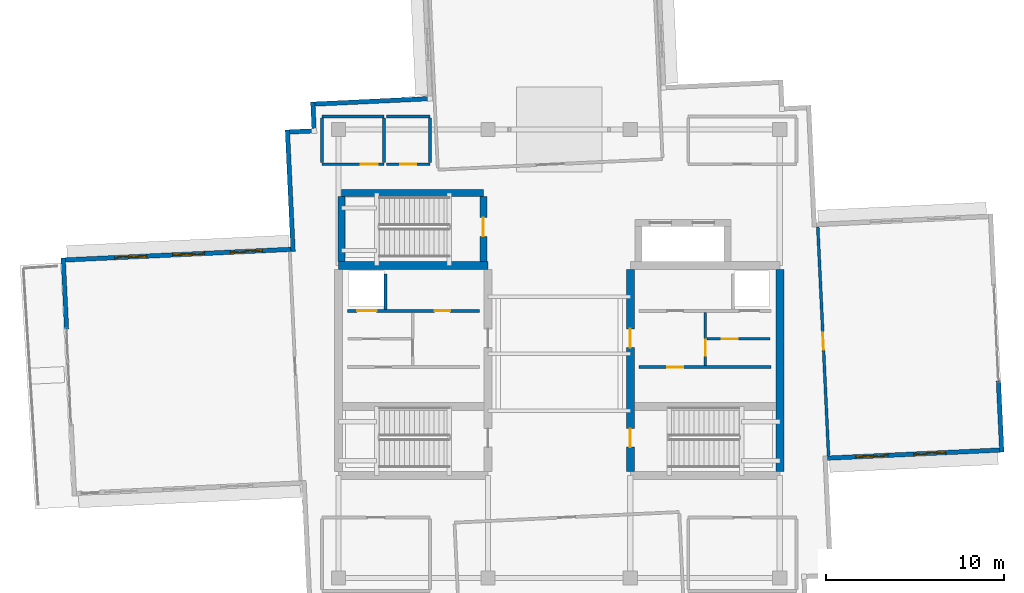
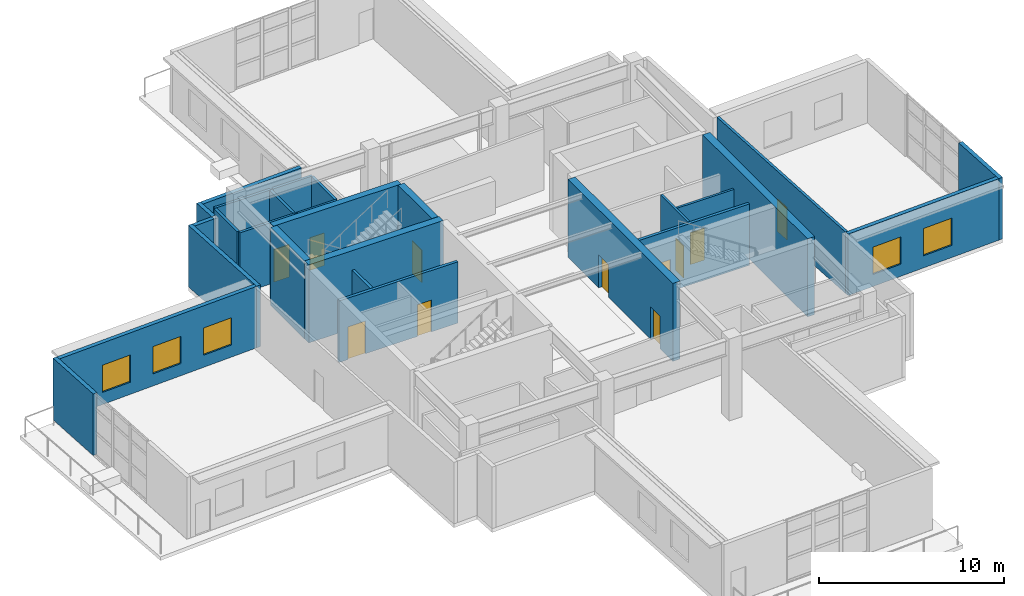
# One storey, part 14 of 22: 27 walls, 11 doors, 5 windows, 16 openings.
"""IFC4 building model written with IfcOpenShell, lengths in metres."""

from ifc_helpers import new_model, si_unit, direction, frame, frame_2d, origin, place, context, subcontext, project, spatial, rectangle, extrude, material, layer, layer_set, type_object, element, fill, save


model = new_model("IFC4")

# Units and contexts
model_context = context("Model", 3, precision=1e-05, world=origin(), true_north=direction((0.0, 1.0)))
body_context = subcontext(model_context, "Body", "Model", "MODEL_VIEW")
ifc_project = project(units=[si_unit("LENGTHUNIT", "METRE"), si_unit("AREAUNIT", "SQUARE_METRE"), si_unit("VOLUMEUNIT", "CUBIC_METRE"), si_unit("PLANEANGLEUNIT", "RADIAN"), si_unit("MASSUNIT", "GRAM", prefix="KILO")], contexts=[model_context])

# Site, building, storey
site_placement = place(None, origin())
site = spatial("IfcSite", under=ifc_project, at=site_placement, CompositionType="ELEMENT")
building_placement = place(site_placement, origin())
building = spatial("IfcBuilding", under=site, at=building_placement, Name="Qingluan Cross Belvedere", CompositionType="ELEMENT")
storey_placement = place(building_placement, frame((0.0, 0.0, 294.0)))
storey = spatial("IfcBuildingStorey", under=building, at=storey_placement, Name="L73", CompositionType="ELEMENT", Elevation=294.0)

# Wall
ifc_material_1 = material(Name="Concrete C50", Category="concrete")
ifc_layer_1 = layer(ifc_material_1, 0.449951171875, Name="CoreShearWall_450")
ifc_layer_set_1 = layer_set([ifc_layer_1], Name="Concrete C50")
wall_type_1 = type_object("IfcWallType", Name="CoreShearWall_450", PredefinedType="SHEAR", material=ifc_layer_set_1)
wall_1_placement = place(storey_placement, frame((-12.39990234375, 4.949951171875, 0.0), z_axis=(0.0, 0.0, 1.0), x_axis=(1.0, 0.0, 0.0)))
element("IfcWall", 1, at=wall_1_placement, inside=storey, type_object=wall_type_1, Name="Split core W shear wall L73-N", PredefinedType="SHEAR", context=body_context, shape_type="SweptSolid", body=[
    extrude(rectangle(XDim=8.39990234375, YDim=0.449951171875, at=frame_2d((4.199951171875, 0.0))), origin(), (0.0, 0.0, 1.0), 5.14990234375),
])

# Wall, openings, doors
wall_2_placement = place(storey_placement, frame((4.0, -6.6201171875, 0.0), z_axis=(0.0, 0.0, 1.0), x_axis=(0.0, 1.0, 0.0)))
wall_2 = element("IfcWall", 2, at=wall_2_placement, inside=storey, type_object=wall_type_1, Name="Split core E shear wall L73-W", PredefinedType="SHEAR", context=body_context, shape_type="SweptSolid", body=[
    extrude(rectangle(XDim=11.340087890625, YDim=0.449951171875, at=frame_2d((5.669921875, 0.0))), origin(), (0.0, 0.0, 1.0), 5.14990234375),
])
opening_1_placement = place(wall_2_placement, frame((1.3701171875, 0.0, 0.0)))
opening_1 = element("IfcOpeningElement", 3, at=opening_1_placement, cuts=wall_2, Name="Opening FD-B11", PredefinedType="OPENING", context=body_context, shape_type="SweptSolid", body=[
    extrude(rectangle(XDim=1.050048828125, YDim=2.14990234375, at=frame_2d((0.52490234375, 1.074951171875))), frame((0.0, 0.23486328125, 0.0), z_axis=(0.0, -1.0, 0.0), x_axis=(1.0, 0.0, 0.0)), (0.0, 0.0, 1.0), 0.469970703125),
])
opening_2_placement = place(wall_2_placement, frame((6.969970703125, 0.0, 0.0)))
opening_2 = element("IfcOpeningElement", 4, at=opening_2_placement, cuts=wall_2, Name="Opening FD-B11", PredefinedType="OPENING", context=body_context, shape_type="SweptSolid", body=[
    extrude(rectangle(XDim=1.050048828125, YDim=2.14990234375, at=frame_2d((0.52490234375, 1.074951171875))), frame((0.0, 0.23486328125, 0.0), z_axis=(0.0, -1.0, 0.0), x_axis=(1.0, 0.0, 0.0)), (0.0, 0.0, 1.0), 0.469970703125),
])
ifc_material_2 = material(Name="Steel Class B smoke-seal fire door", Category="steel")
door_type_1 = type_object("IfcDoorType", Name="StairLobbyFireDoor_FDB", OperationType="NOTDEFINED", PredefinedType="DOOR", material=ifc_material_2)
door_1_placement = place(opening_1_placement, origin())
door_1 = element("IfcDoor", 5, at=door_1_placement, inside=storey, type_object=door_type_1, Name="Smoke-proof stair ST2 fire door L73", OperationType="SINGLE_SWING_RIGHT", OverallHeight=2.14990234375, OverallWidth=1.050048828125, PredefinedType="DOOR", context=body_context, shape_type="SweptSolid", body=[
    extrude(rectangle(XDim=1.050048828125, YDim=2.14990234375, at=frame_2d((0.52490234375, 1.074951171875))), frame((0.0, 0.02490234375, 0.0), z_axis=(0.0, -1.0, 0.0), x_axis=(1.0, 0.0, 0.0)), (0.0, 0.0, 1.0), 0.050048828125),
])
fill(opening_1, door_1)
door_2_placement = place(opening_2_placement, origin())
door_2 = element("IfcDoor", 6, at=door_2_placement, inside=storey, type_object=door_type_1, Name="Firefighting lobby East fire door L73", OperationType="SINGLE_SWING_RIGHT", OverallHeight=2.14990234375, OverallWidth=1.050048828125, PredefinedType="DOOR", context=body_context, shape_type="SweptSolid", body=[
    extrude(rectangle(XDim=1.050048828125, YDim=2.14990234375, at=frame_2d((0.52490234375, 1.074951171875))), frame((0.0, 0.02490234375, 0.0), z_axis=(0.0, -1.0, 0.0), x_axis=(1.0, 0.0, 0.0)), (0.0, 0.0, 1.0), 0.050048828125),
])
fill(opening_2, door_2)

# Walls
wall_3_placement = place(storey_placement, frame((12.39990234375, -6.6201171875, 0.0), z_axis=(0.0, 0.0, 1.0), x_axis=(0.0, 1.0, 0.0)))
element("IfcWall", 7, at=wall_3_placement, inside=storey, type_object=wall_type_1, Name="Split core E shear wall L73-E", PredefinedType="SHEAR", context=body_context, shape_type="SweptSolid", body=[
    extrude(rectangle(XDim=11.340087890625, YDim=0.449951171875, at=frame_2d((5.669921875, 0.0))), origin(), (0.0, 0.0, 1.0), 5.14990234375),
])
wall_4_placement = place(storey_placement, frame((-12.219970703125, 9.0400390625, 0.0), z_axis=(0.0, 0.0, 1.0), x_axis=(1.0, 0.0, 0.0)))
element("IfcWall", 8, at=wall_4_placement, inside=storey, type_object=wall_type_1, Name="Stair ST3 structural wall N L73", PredefinedType="SHEAR", context=body_context, shape_type="SweptSolid", body=[
    extrude(rectangle(XDim=7.9599609375, YDim=0.39990234375, at=frame_2d((3.97998046875, 0.0))), origin(), (0.0, 0.0, 1.0), 5.14990234375),
])
wall_5_placement = place(storey_placement, frame((-12.219970703125, 5.179931640625, 0.0), z_axis=(0.0, 0.0, 1.0), x_axis=(0.0, 1.0, 0.0)))
element("IfcWall", 9, at=wall_5_placement, inside=storey, type_object=wall_type_1, Name="Stair ST3 structural wall W L73", PredefinedType="SHEAR", context=body_context, shape_type="SweptSolid", body=[
    extrude(rectangle(XDim=3.655029296875, YDim=0.39990234375, at=frame_2d((1.82763671875, 0.0))), origin(), (0.0, 0.0, 1.0), 5.14990234375),
])

# Wall, opening, door
wall_6_placement = place(storey_placement, frame((-4.260009765625, 5.179931640625, 0.0), z_axis=(0.0, 0.0, 1.0), x_axis=(0.0, 1.0, 0.0)))
wall_6 = element("IfcWall", 10, at=wall_6_placement, inside=storey, type_object=wall_type_1, Name="Stair ST3 structural wall E L73", PredefinedType="SHEAR", context=body_context, shape_type="SweptSolid", body=[
    extrude(rectangle(XDim=3.655029296875, YDim=0.39990234375, at=frame_2d((1.82763671875, 0.0))), origin(), (0.0, 0.0, 1.0), 5.14990234375),
])
opening_3_placement = place(wall_6_placement, frame((1.419921875, 0.0, 0.0)))
opening_3 = element("IfcOpeningElement", 11, at=opening_3_placement, cuts=wall_6, Name="Opening FD-B11", PredefinedType="OPENING", context=body_context, shape_type="SweptSolid", body=[
    extrude(rectangle(XDim=1.050048828125, YDim=2.14990234375, at=frame_2d((0.52490234375, 1.074951171875))), frame((0.0, 0.2099609375, 0.0), z_axis=(0.0, -1.0, 0.0), x_axis=(1.0, 0.0, 0.0)), (0.0, 0.0, 1.0), 0.419921875),
])
door_3_placement = place(opening_3_placement, origin())
door_3 = element("IfcDoor", 12, at=door_3_placement, inside=storey, type_object=door_type_1, Name="Smoke-proof stair ST3 fire door L73", OperationType="SINGLE_SWING_LEFT", OverallHeight=2.14990234375, OverallWidth=1.050048828125, PredefinedType="DOOR", context=body_context, shape_type="SweptSolid", body=[
    extrude(rectangle(XDim=1.050048828125, YDim=2.14990234375, at=frame_2d((0.52490234375, 1.074951171875))), frame((0.0, 0.02490234375, 0.0), z_axis=(0.0, -1.0, 0.0), x_axis=(1.0, 0.0, 0.0)), (0.0, 0.0, 1.0), 0.050048828125),
])
fill(opening_3, door_3)

ifc_material_3 = material(Name="Gypsum plasterboard on steel stud acoustic partition", Category="steel")
ifc_layer_2 = layer(ifc_material_3, 0.159912109375, Name="CorridorPartition_160")
ifc_layer_set_2 = layer_set([ifc_layer_2], Name="Gypsum plasterboard on steel stud acoustic partition")
wall_type_2 = type_object("IfcWallType", Name="CorridorPartition_160", PredefinedType="PARTITIONING", material=ifc_layer_set_2)
wall_7_placement = place(storey_placement, frame((8.298095703125, 0.830078125, 0.0), z_axis=(0.0, 0.0, 1.0), x_axis=(1.0, 0.0, 0.0)))
wall_7 = element("IfcWall", 13, at=wall_7_placement, inside=storey, type_object=wall_type_2, Name="Partition L73:e", PredefinedType="PARTITIONING", context=body_context, shape_type="SweptSolid", body=[
    extrude(rectangle(XDim=3.552001953125, YDim=0.139892578125, at=frame_2d((1.77587890625, 0.0))), origin(), (0.0, 0.0, 1.0), 4.050048828125),
])
opening_4_placement = place(wall_7_placement, frame((0.85009765625, 0.0, 0.0)))
opening_4 = element("IfcOpeningElement", 14, at=opening_4_placement, cuts=wall_7, Name="Opening FD-B10", PredefinedType="OPENING", context=body_context, shape_type="SweptSolid", body=[
    extrude(rectangle(XDim=0.8798828125, YDim=2.10009765625, at=frame_2d((0.43994140625, 1.050048828125))), frame((0.0, 0.079833984375, 0.0), z_axis=(0.0, -1.0, 0.0), x_axis=(1.0, 0.0, 0.0)), (0.0, 0.0, 1.0), 0.159912109375),
])
ifc_material_4 = material(Name="Steel Class B service fire door", Category="steel")
door_type_2 = type_object("IfcDoorType", Name="RiserServiceFireDoor_FDB", OperationType="NOTDEFINED", PredefinedType="DOOR", material=ifc_material_4)
door_4_placement = place(opening_4_placement, origin())
door_4 = element("IfcDoor", 15, at=door_4_placement, inside=storey, type_object=door_type_2, Name="Service closet inner door L73", OperationType="SINGLE_SWING_LEFT", OverallHeight=2.10009765625, OverallWidth=0.8798828125, PredefinedType="DOOR", context=body_context, shape_type="SweptSolid", body=[
    extrude(rectangle(XDim=0.8798828125, YDim=2.10009765625, at=frame_2d((0.43994140625, 1.050048828125))), frame((0.0, 0.02490234375, 0.0), z_axis=(0.0, -1.0, 0.0), x_axis=(1.0, 0.0, 0.0)), (0.0, 0.0, 1.0), 0.050048828125),
])
fill(opening_4, door_4)

wall_8_placement = place(storey_placement, frame((15.13671875, -5.730224609375, 0.0), z_axis=(0.0, 0.0, 1.0), x_axis=(-0.047106533513, 0.998889871057, 0.0)))
wall_8 = element("IfcWall", 16, at=wall_8_placement, inside=storey, type_object=wall_type_2, Name="Partition L73:vip_salon:W", PredefinedType="PARTITIONING", context=body_context, shape_type="SweptSolid", body=[
    extrude(rectangle(XDim=12.8740234375, YDim=0.159912109375, at=frame_2d((6.43701171875, 0.0))), origin(), (0.0, 0.0, 1.0), 4.050048828125),
])
opening_5_placement = place(wall_8_placement, frame((5.95703125, 0.0, 0.0)))
opening_5 = element("IfcOpeningElement", 17, at=opening_5_placement, cuts=wall_8, Name="Opening GD-10", PredefinedType="OPENING", context=body_context, shape_type="SweptSolid", body=[
    extrude(rectangle(XDim=0.9599609375, YDim=2.14990234375, at=frame_2d((0.47998046875, 1.074951171875))), frame((0.0, 0.08984375, 0.0), z_axis=(0.0, -1.0, 0.0), x_axis=(1.0, 0.0, 0.0)), (0.0, 0.0, 1.0), 0.179931640625),
])
ifc_material_5 = material(Name="Timber oak fire-rated acoustic guestroom door", Category="wood")
door_type_3 = type_object("IfcDoorType", Name="GuestEntryDoor_FD60", OperationType="NOTDEFINED", PredefinedType="DOOR", material=ifc_material_5)
door_5_placement = place(opening_5_placement, origin())
door_5 = element("IfcDoor", 18, at=door_5_placement, inside=storey, type_object=door_type_3, Name="Private sky reception salon L73 door", OperationType="SINGLE_SWING_LEFT", OverallHeight=2.14990234375, OverallWidth=0.9599609375, PredefinedType="DOOR", context=body_context, shape_type="SweptSolid", body=[
    extrude(rectangle(XDim=0.9599609375, YDim=2.14990234375, at=frame_2d((0.47998046875, 1.074951171875))), frame((0.0, 0.02490234375, 0.0), z_axis=(0.0, -1.0, 0.0), x_axis=(1.0, 0.0, 0.0)), (0.0, 0.0, 1.0), 0.050048828125),
])
fill(opening_5, door_5)

wall_9_placement = place(storey_placement, frame((-13.330078125, 10.64990234375, 0.0), z_axis=(0.0, 0.0, 1.0), x_axis=(1.0, 0.0, 0.0)))
wall_9 = element("IfcWall", 19, at=wall_9_placement, inside=storey, type_object=wall_type_2, Name="Partition L73:crown_wc:S", PredefinedType="PARTITIONING", context=body_context, shape_type="SweptSolid", body=[
    extrude(rectangle(XDim=3.47998046875, YDim=0.159912109375, at=frame_2d((1.739990234375, 0.0))), origin(), (0.0, 0.0, 1.0), 4.050048828125),
])
opening_6_placement = place(wall_9_placement, frame((2.169921875, 0.0, 0.0)))
opening_6 = element("IfcOpeningElement", 20, at=opening_6_placement, cuts=wall_9, Name="Opening GD-10", PredefinedType="OPENING", context=body_context, shape_type="SweptSolid", body=[
    extrude(rectangle(XDim=0.9599609375, YDim=2.14990234375, at=frame_2d((0.47998046875, 1.074951171875))), frame((0.0, 0.08984375, 0.0), z_axis=(0.0, -1.0, 0.0), x_axis=(1.0, 0.0, 0.0)), (0.0, 0.0, 1.0), 0.179931640625),
])
door_6_placement = place(opening_6_placement, origin())
door_6 = element("IfcDoor", 21, at=door_6_placement, inside=storey, type_object=door_type_3, Name="Public washrooms L73 door", OperationType="SINGLE_SWING_LEFT", OverallHeight=2.14990234375, OverallWidth=0.9599609375, PredefinedType="DOOR", context=body_context, shape_type="SweptSolid", body=[
    extrude(rectangle(XDim=0.9599609375, YDim=2.14990234375, at=frame_2d((0.47998046875, 1.074951171875))), frame((0.0, 0.02490234375, 0.0), z_axis=(0.0, -1.0, 0.0), x_axis=(1.0, 0.0, 0.0)), (0.0, 0.0, 1.0), 0.050048828125),
])
fill(opening_6, door_6)

# Walls
wall_10_placement = place(storey_placement, frame((-13.330078125, 13.330078125, 0.0), z_axis=(0.0, 0.0, 1.0), x_axis=(1.0, 0.0, 0.0)))
element("IfcWall", 22, at=wall_10_placement, inside=storey, type_object=wall_type_2, Name="Partition L73:crown_wc:N", PredefinedType="PARTITIONING", context=body_context, shape_type="SweptSolid", body=[
    extrude(rectangle(XDim=3.47998046875, YDim=0.159912109375, at=frame_2d((1.739990234375, 0.0))), origin(), (0.0, 0.0, 1.0), 4.050048828125),
])
for number, where, z_axis, x_axis, name in (
    (23, (-13.330078125, 10.735107421875, 0.0), (0.0, 0.0, 1.0), (0.0, 1.0, 0.0), "Partition L73:crown_wc:W"),
    (24, (-9.85009765625, 10.735107421875, 0.0), (0.0, 0.0, 1.0), (0.0, 1.0, 0.0), "Partition L73:crown_wc:E"),
):
    element("IfcWall", number, at=place(storey_placement, frame(where, z_axis=z_axis, x_axis=x_axis)), inside=storey, type_object=wall_type_2, Name=name, PredefinedType="PARTITIONING", context=body_context, shape_type="SweptSolid", body=[
        extrude(rectangle(XDim=2.510009765625, YDim=0.159912109375, at=frame_2d((1.2548828125, 0.0))), origin(), (0.0, 0.0, 1.0), 4.050048828125),
    ])

# Wall, opening, door
wall_11_placement = place(storey_placement, frame((-9.68994140625, 10.64990234375, 0.0), z_axis=(0.0, 0.0, 1.0), x_axis=(1.0, 0.0, 0.0)))
wall_11 = element("IfcWall", 25, at=wall_11_placement, inside=storey, type_object=wall_type_2, Name="Partition L73:crown_acc:S", PredefinedType="PARTITIONING", context=body_context, shape_type="SweptSolid", body=[
    extrude(rectangle(XDim=2.43994140625, YDim=0.159912109375, at=frame_2d((1.219970703125, 0.0))), origin(), (0.0, 0.0, 1.0), 4.050048828125),
])
opening_7_placement = place(wall_11_placement, frame((0.77001953125, 0.0, 0.0)))
opening_7 = element("IfcOpeningElement", 26, at=opening_7_placement, cuts=wall_11, Name="Opening BD-90", PredefinedType="OPENING", context=body_context, shape_type="SweptSolid", body=[
    extrude(rectangle(XDim=0.89990234375, YDim=2.14990234375, at=frame_2d((0.449951171875, 1.074951171875))), frame((0.0, 0.08984375, 0.0), z_axis=(0.0, -1.0, 0.0), x_axis=(1.0, 0.0, 0.0)), (0.0, 0.0, 1.0), 0.179931640625),
])
ifc_material_6 = material(Name="Moisture-sealed timber washroom door", Category="wood")
door_type_4 = type_object("IfcDoorType", Name="AccessibleWCDoor_900", OperationType="NOTDEFINED", PredefinedType="DOOR", material=ifc_material_6)
door_7_placement = place(opening_7_placement, origin())
door_7 = element("IfcDoor", 27, at=door_7_placement, inside=storey, type_object=door_type_4, Name="Accessible toilet L73 door", OperationType="SINGLE_SWING_RIGHT", OverallHeight=2.14990234375, OverallWidth=0.89990234375, PredefinedType="DOOR", context=body_context, shape_type="SweptSolid", body=[
    extrude(rectangle(XDim=0.89990234375, YDim=2.14990234375, at=frame_2d((0.449951171875, 1.074951171875))), frame((0.0, 0.02490234375, 0.0), z_axis=(0.0, -1.0, 0.0), x_axis=(1.0, 0.0, 0.0)), (0.0, 0.0, 1.0), 0.050048828125),
])
fill(opening_7, door_7)

# Walls
wall_12_placement = place(storey_placement, frame((-9.68994140625, 13.330078125, 0.0), z_axis=(0.0, 0.0, 1.0), x_axis=(1.0, 0.0, 0.0)))
element("IfcWall", 28, at=wall_12_placement, inside=storey, type_object=wall_type_2, Name="Partition L73:crown_acc:N", PredefinedType="PARTITIONING", context=body_context, shape_type="SweptSolid", body=[
    extrude(rectangle(XDim=2.43994140625, YDim=0.159912109375, at=frame_2d((1.219970703125, 0.0))), origin(), (0.0, 0.0, 1.0), 4.050048828125),
])
wall_13_placement = place(storey_placement, frame((-7.25, 10.735107421875, 0.0), z_axis=(0.0, 0.0, 1.0), x_axis=(0.0, 1.0, 0.0)))
element("IfcWall", 29, at=wall_13_placement, inside=storey, type_object=wall_type_2, Name="Partition L73:crown_acc:E", PredefinedType="PARTITIONING", context=body_context, shape_type="SweptSolid", body=[
    extrude(rectangle(XDim=2.510009765625, YDim=0.159912109375, at=frame_2d((1.2548828125, 0.0))), origin(), (0.0, 0.0, 1.0), 4.050048828125),
])

# Wall, openings, windows
ifc_material_7 = material(Name="Precast concrete C45", Category="concrete")
ifc_layer_3 = layer(ifc_material_7, 0.25, Name="PrecastCrownWall_250")
ifc_layer_set_3 = layer_set([ifc_layer_3], Name="Precast concrete C45")
wall_type_3 = type_object("IfcWallType", Name="PrecastCrownWall_250", PredefinedType="STANDARD", material=ifc_layer_set_3)
wall_14_placement = place(storey_placement, frame((15.078125, -5.8662109375, 0.0), z_axis=(0.0, 0.0, 1.0), x_axis=(0.998889626511, 0.047111718812, 0.0)))
wall_14 = element("IfcWall", 30, at=wall_14_placement, inside=storey, type_object=wall_type_3, Name="Facade wall L73-EA", PredefinedType="STANDARD", context=body_context, shape_type="SweptSolid", body=[
    extrude(rectangle(XDim=9.669921875, YDim=0.25, at=frame_2d((4.8349609375, 0.0))), origin(), (0.0, 0.0, 1.0), 4.06005859375),
])
opening_8_placement = place(wall_14_placement, frame((1.60009765625, 0.0, 0.800048828125)))
opening_8 = element("IfcOpeningElement", 31, at=opening_8_placement, cuts=wall_14, Name="Opening W-05", PredefinedType="OPENING", context=body_context, shape_type="SweptSolid", body=[
    extrude(rectangle(XDim=1.800048828125, YDim=1.800048828125, at=frame_2d((0.89990234375, 0.89990234375))), frame((0.0, 0.135009765625, 0.0), z_axis=(0.0, -1.0, 0.0), x_axis=(1.0, 0.0, 0.0)), (0.0, 0.0, 1.0), 0.27001953125),
])
opening_9_placement = place(wall_14_placement, frame((4.85009765625, 0.0, 0.800048828125)))
opening_9 = element("IfcOpeningElement", 32, at=opening_9_placement, cuts=wall_14, Name="Opening W-05", PredefinedType="OPENING", context=body_context, shape_type="SweptSolid", body=[
    extrude(rectangle(XDim=1.800048828125, YDim=1.800048828125, at=frame_2d((0.89990234375, 0.89990234375))), frame((0.0, 0.135009765625, 0.0), z_axis=(0.0, -1.0, 0.0), x_axis=(1.0, 0.0, 0.0)), (0.0, 0.0, 1.0), 0.27001953125),
])
ifc_material_8 = material(Name="Thermally broken triple Low-E glass in aluminium frame", Category="aluminium")
window_type = type_object("IfcWindowType", Name="CrownBelvedereWin_1800x1800", PartitioningType="SINGLE_PANEL", PredefinedType="WINDOW", material=ifc_material_8)
window_1_placement = place(opening_8_placement, origin())
window_1 = element("IfcWindow", 33, at=window_1_placement, inside=storey, type_object=window_type, Name="Ribbon window L73-EA-1", OverallHeight=1.800048828125, OverallWidth=1.800048828125, PartitioningType="SINGLE_PANEL", PredefinedType="WINDOW", context=body_context, shape_type="SweptSolid", body=[
    extrude(rectangle(XDim=1.800048828125, YDim=1.800048828125, at=frame_2d((0.89990234375, 0.89990234375))), frame((0.0, 0.030029296875, 0.0), z_axis=(0.0, -1.0, 0.0), x_axis=(1.0, 0.0, 0.0)), (0.0, 0.0, 1.0), 0.06005859375),
])
fill(opening_8, window_1)
window_2_placement = place(opening_9_placement, origin())
window_2 = element("IfcWindow", 34, at=window_2_placement, inside=storey, type_object=window_type, Name="Ribbon window L73-EA-2", OverallHeight=1.800048828125, OverallWidth=1.800048828125, PartitioningType="SINGLE_PANEL", PredefinedType="WINDOW", context=body_context, shape_type="SweptSolid", body=[
    extrude(rectangle(XDim=1.800048828125, YDim=1.800048828125, at=frame_2d((0.89990234375, 0.89990234375))), frame((0.0, 0.030029296875, 0.0), z_axis=(0.0, -1.0, 0.0), x_axis=(1.0, 0.0, 0.0)), (0.0, 0.0, 1.0), 0.06005859375),
])
fill(opening_9, window_2)

# Wall
wall_15_placement = place(storey_placement, frame((24.8681640625, -5.52978515625, 0.0), z_axis=(0.0, 0.0, 1.0), x_axis=(-0.047100260363, 0.998890166872, 0.0)))
element("IfcWall", 35, at=wall_15_placement, inside=storey, type_object=wall_type_3, Name="Terrace portal jamb wall L73-E1", PredefinedType="STANDARD", context=body_context, shape_type="SweptSolid", body=[
    extrude(rectangle(XDim=4.01708984375, YDim=0.25, at=frame_2d((2.008544921875, 0.0))), origin(), (0.0, 0.0, 1.0), 4.06005859375),
])

# Wall, openings, windows
wall_16_placement = place(storey_placement, frame((-15.078125, 5.8662109375, 0.0), z_axis=(0.0, 0.0, 1.0), x_axis=(-0.998889528594, -0.04711379485, 0.0)))
wall_16 = element("IfcWall", 36, at=wall_16_placement, inside=storey, type_object=wall_type_3, Name="Facade wall L73-WA", PredefinedType="STANDARD", context=body_context, shape_type="SweptSolid", body=[
    extrude(rectangle(XDim=12.669921875, YDim=0.25, at=frame_2d((6.3349609375, 0.0))), origin(), (0.0, 0.0, 1.0), 4.06005859375),
])
opening_10_placement = place(wall_16_placement, frame((1.60009765625, 0.0, 0.800048828125)))
opening_10 = element("IfcOpeningElement", 37, at=opening_10_placement, cuts=wall_16, Name="Opening W-05", PredefinedType="OPENING", context=body_context, shape_type="SweptSolid", body=[
    extrude(rectangle(XDim=1.800048828125, YDim=1.800048828125, at=frame_2d((0.89990234375, 0.89990234375))), frame((0.0, 0.135009765625, 0.0), z_axis=(0.0, -1.0, 0.0), x_axis=(1.0, 0.0, 0.0)), (0.0, 0.0, 1.0), 0.27001953125),
])
opening_11_placement = place(wall_16_placement, frame((4.85009765625, 0.0, 0.800048828125)))
opening_11 = element("IfcOpeningElement", 38, at=opening_11_placement, cuts=wall_16, Name="Opening W-05", PredefinedType="OPENING", context=body_context, shape_type="SweptSolid", body=[
    extrude(rectangle(XDim=1.800048828125, YDim=1.800048828125, at=frame_2d((0.89990234375, 0.89990234375))), frame((0.0, 0.135009765625, 0.0), z_axis=(0.0, -1.0, 0.0), x_axis=(1.0, 0.0, 0.0)), (0.0, 0.0, 1.0), 0.27001953125),
])
opening_12_placement = place(wall_16_placement, frame((8.10009765625, 0.0, 0.800048828125)))
opening_12 = element("IfcOpeningElement", 39, at=opening_12_placement, cuts=wall_16, Name="Opening W-05", PredefinedType="OPENING", context=body_context, shape_type="SweptSolid", body=[
    extrude(rectangle(XDim=1.800048828125, YDim=1.800048828125, at=frame_2d((0.89990234375, 0.89990234375))), frame((0.0, 0.135009765625, 0.0), z_axis=(0.0, -1.0, 0.0), x_axis=(1.0, 0.0, 0.0)), (0.0, 0.0, 1.0), 0.27001953125),
])
window_3_placement = place(opening_10_placement, origin())
window_3 = element("IfcWindow", 40, at=window_3_placement, inside=storey, type_object=window_type, Name="Ribbon window L73-WA-1", OverallHeight=1.800048828125, OverallWidth=1.800048828125, PartitioningType="SINGLE_PANEL", PredefinedType="WINDOW", context=body_context, shape_type="SweptSolid", body=[
    extrude(rectangle(XDim=1.800048828125, YDim=1.800048828125, at=frame_2d((0.89990234375, 0.89990234375))), frame((0.0, 0.030029296875, 0.0), z_axis=(0.0, -1.0, 0.0), x_axis=(1.0, 0.0, 0.0)), (0.0, 0.0, 1.0), 0.06005859375),
])
fill(opening_10, window_3)
window_4_placement = place(opening_11_placement, origin())
window_4 = element("IfcWindow", 41, at=window_4_placement, inside=storey, type_object=window_type, Name="Ribbon window L73-WA-2", OverallHeight=1.800048828125, OverallWidth=1.800048828125, PartitioningType="SINGLE_PANEL", PredefinedType="WINDOW", context=body_context, shape_type="SweptSolid", body=[
    extrude(rectangle(XDim=1.800048828125, YDim=1.800048828125, at=frame_2d((0.89990234375, 0.89990234375))), frame((0.0, 0.030029296875, 0.0), z_axis=(0.0, -1.0, 0.0), x_axis=(1.0, 0.0, 0.0)), (0.0, 0.0, 1.0), 0.06005859375),
])
fill(opening_11, window_4)
window_5_placement = place(opening_12_placement, origin())
window_5 = element("IfcWindow", 42, at=window_5_placement, inside=storey, type_object=window_type, Name="Ribbon window L73-WA-3", OverallHeight=1.800048828125, OverallWidth=1.800048828125, PartitioningType="SINGLE_PANEL", PredefinedType="WINDOW", context=body_context, shape_type="SweptSolid", body=[
    extrude(rectangle(XDim=1.800048828125, YDim=1.800048828125, at=frame_2d((0.89990234375, 0.89990234375))), frame((0.0, 0.030029296875, 0.0), z_axis=(0.0, -1.0, 0.0), x_axis=(1.0, 0.0, 0.0)), (0.0, 0.0, 1.0), 0.06005859375),
])
fill(opening_12, window_5)

# Walls
wall_17_placement = place(storey_placement, frame((-27.86474609375, 5.388427734375, 0.0), z_axis=(0.0, 0.0, 1.0), x_axis=(0.047100260363, -0.998890166872, 0.0)))
element("IfcWall", 43, at=wall_17_placement, inside=storey, type_object=wall_type_3, Name="Terrace portal jamb wall L73-W1", PredefinedType="STANDARD", context=body_context, shape_type="SweptSolid", body=[
    extrude(rectangle(XDim=4.01708984375, YDim=0.25, at=frame_2d((2.008544921875, 0.0))), origin(), (0.0, 0.0, 1.0), 4.06005859375),
])
wall_18_placement = place(storey_placement, frame((-14.947265625, 5.747314453125, 0.0), z_axis=(0.0, 0.0, 1.0), x_axis=(-0.047115742593, 0.998889436725, 0.0)))
element("IfcWall", 44, at=wall_18_placement, inside=storey, type_object=wall_type_3, Name="Corner wall L73-NW1", PredefinedType="STANDARD", context=body_context, shape_type="SweptSolid", body=[
    extrude(rectangle(XDim=6.83984375, YDim=0.25, at=frame_2d((3.419921875, 0.0))), origin(), (0.0, 0.0, 1.0), 4.06005859375),
])
wall_19_placement = place(storey_placement, frame((-15.138916015625, 12.460693359375, 0.0), z_axis=(0.0, 0.0, 1.0), x_axis=(0.998891870632, 0.047064113553, 0.0)))
element("IfcWall", 45, at=wall_19_placement, inside=storey, type_object=wall_type_3, Name="Corner wall L73-NW2", PredefinedType="STANDARD", context=body_context, shape_type="SweptSolid", body=[
    extrude(rectangle(XDim=1.250244140625, YDim=0.25, at=frame_2d((0.625, 0.0))), origin(), (0.0, 0.0, 1.0), 4.06005859375),
])
wall_20_placement = place(storey_placement, frame((-13.771240234375, 12.650390625, 0.0), z_axis=(0.0, 0.0, 1.0), x_axis=(-0.047039284441, 0.99889304018, 0.0)))
element("IfcWall", 46, at=wall_20_placement, inside=storey, type_object=wall_type_3, Name="Corner wall L73-NW3", PredefinedType="STANDARD", context=body_context, shape_type="SweptSolid", body=[
    extrude(rectangle(XDim=1.5, YDim=0.25, at=frame_2d((0.75, 0.0))), origin(), (0.0, 0.0, 1.0), 4.06005859375),
])
wall_21_placement = place(storey_placement, frame((-13.711181640625, 14.02978515625, 0.0), z_axis=(0.0, 0.0, 1.0), x_axis=(0.998890417296, 0.047094949127, 0.0)))
element("IfcWall", 47, at=wall_21_placement, inside=storey, type_object=wall_type_3, Name="Corner wall L73-NW4", PredefinedType="STANDARD", context=body_context, shape_type="SweptSolid", body=[
    extrude(rectangle(XDim=6.340087890625, YDim=0.25, at=frame_2d((3.169921875, 0.0))), origin(), (0.0, 0.0, 1.0), 4.06005859375),
])

# Wall, openings, doors
ifc_material_9 = material(Name="Concrete C40", Category="concrete")
ifc_layer_4 = layer(ifc_material_9, 0.219970703125, Name="ShaftEnclosureWall_250")
ifc_layer_set_4 = layer_set([ifc_layer_4], Name="Concrete C40")
wall_type_4 = type_object("IfcWallType", Name="ShaftEnclosureWall_250", PredefinedType="SOLIDWALL", material=ifc_layer_set_4)
wall_22_placement = place(storey_placement, frame((-11.89990234375, 2.409912109375, 0.0), z_axis=(0.0, 0.0, 1.0), x_axis=(1.0, 0.0, 0.0)))
wall_22 = element("IfcWall", 48, at=wall_22_placement, inside=storey, type_object=wall_type_4, Name="Core-W north hoistway wall L73", PredefinedType="SOLIDWALL", context=body_context, shape_type="SweptSolid", body=[
    extrude(rectangle(XDim=7.419921875, YDim=0.179931640625, at=frame_2d((3.7099609375, 0.0))), origin(), (0.0, 0.0, 1.0), 4.050048828125),
])
opening_13_placement = place(wall_22_placement, frame((0.550048828125, 0.0, 0.0)))
opening_13 = element("IfcOpeningElement", 49, at=opening_13_placement, cuts=wall_22, Name="Opening LD-11", PredefinedType="OPENING", context=body_context, shape_type="SweptSolid", body=[
    extrude(rectangle(XDim=1.10009765625, YDim=2.14990234375, at=frame_2d((0.550048828125, 1.074951171875))), frame((0.0, 0.099853515625, 0.0), z_axis=(0.0, -1.0, 0.0), x_axis=(1.0, 0.0, 0.0)), (0.0, 0.0, 1.0), 0.199951171875),
])
opening_14_placement = place(wall_22_placement, frame((4.89990234375, 0.0, 0.0)))
opening_14 = element("IfcOpeningElement", 50, at=opening_14_placement, cuts=wall_22, Name="Opening FD-B10", PredefinedType="OPENING", context=body_context, shape_type="SweptSolid", body=[
    extrude(rectangle(XDim=0.8798828125, YDim=2.10009765625, at=frame_2d((0.43994140625, 1.050048828125))), frame((0.0, 0.099853515625, 0.0), z_axis=(0.0, -1.0, 0.0), x_axis=(1.0, 0.0, 0.0)), (0.0, 0.0, 1.0), 0.199951171875),
])
ifc_material_10 = material(Name="Brushed stainless steel centre-opening lift landing door", Category="steel")
door_type_5 = type_object("IfcDoorType", Name="LiftLandingSlidingDoor_1100", OperationType="DOUBLE_DOOR_SLIDING", PredefinedType="DOOR", material=ifc_material_10)
door_8_placement = place(opening_13_placement, origin())
door_8 = element("IfcDoor", 51, at=door_8_placement, inside=storey, type_object=door_type_5, Name="Lift landing sliding door FL1 L73", OperationType="DOUBLE_DOOR_SLIDING", OverallHeight=2.14990234375, OverallWidth=1.10009765625, PredefinedType="DOOR", context=body_context, shape_type="SweptSolid", body=[
    extrude(rectangle(XDim=1.10009765625, YDim=2.14990234375, at=frame_2d((0.550048828125, 1.074951171875))), frame((0.0, 0.02490234375, 0.0), z_axis=(0.0, -1.0, 0.0), x_axis=(1.0, 0.0, 0.0)), (0.0, 0.0, 1.0), 0.050048828125),
])
fill(opening_13, door_8)
door_9_placement = place(opening_14_placement, origin())
door_9 = element("IfcDoor", 52, at=door_9_placement, inside=storey, type_object=door_type_2, Name="Housekeeping supply room door W L73", OperationType="SINGLE_SWING_RIGHT", OverallHeight=2.10009765625, OverallWidth=0.8798828125, PredefinedType="DOOR", context=body_context, shape_type="SweptSolid", body=[
    extrude(rectangle(XDim=0.8798828125, YDim=2.10009765625, at=frame_2d((0.43994140625, 1.050048828125))), frame((0.0, 0.02490234375, 0.0), z_axis=(0.0, -1.0, 0.0), x_axis=(1.0, 0.0, 0.0)), (0.0, 0.0, 1.0), 0.050048828125),
])
fill(opening_14, door_9)

# Wall, opening, door
wall_23_placement = place(storey_placement, frame((4.47998046875, -0.75, 0.0), z_axis=(0.0, 0.0, 1.0), x_axis=(1.0, 0.0, 0.0)))
wall_23 = element("IfcWall", 53, at=wall_23_placement, inside=storey, type_object=wall_type_4, Name="Core-E mid hoistway wall L73", PredefinedType="SOLIDWALL", context=body_context, shape_type="SweptSolid", body=[
    extrude(rectangle(XDim=7.419921875, YDim=0.179931640625, at=frame_2d((3.7099609375, 0.0))), origin(), (0.0, 0.0, 1.0), 4.050048828125),
])
opening_15_placement = place(wall_23_placement, frame((1.60009765625, 0.0, 0.0)))
opening_15 = element("IfcOpeningElement", 54, at=opening_15_placement, cuts=wall_23, Name="Opening FD-B10", PredefinedType="OPENING", context=body_context, shape_type="SweptSolid", body=[
    extrude(rectangle(XDim=0.8798828125, YDim=2.10009765625, at=frame_2d((0.43994140625, 1.050048828125))), frame((0.0, 0.099853515625, 0.0), z_axis=(0.0, -1.0, 0.0), x_axis=(1.0, 0.0, 0.0)), (0.0, 0.0, 1.0), 0.199951171875),
])
door_10_placement = place(opening_15_placement, origin())
door_10 = element("IfcDoor", 55, at=door_10_placement, inside=storey, type_object=door_type_2, Name="Upper-zone linen store door L73", OperationType="SINGLE_SWING_LEFT", OverallHeight=2.10009765625, OverallWidth=0.8798828125, PredefinedType="DOOR", context=body_context, shape_type="SweptSolid", body=[
    extrude(rectangle(XDim=0.8798828125, YDim=2.10009765625, at=frame_2d((0.43994140625, 1.050048828125))), frame((0.0, 0.02490234375, 0.0), z_axis=(0.0, -1.0, 0.0), x_axis=(1.0, 0.0, 0.0)), (0.0, 0.0, 1.0), 0.050048828125),
])
fill(opening_15, door_10)

# Wall
wall_24_placement = place(storey_placement, frame((-9.760009765625, 2.5, 0.0), z_axis=(0.0, 0.0, 1.0), x_axis=(0.0, 1.0, 0.0)))
element("IfcWall", 56, at=wall_24_placement, inside=storey, type_object=wall_type_4, Name="Hoistway enclosure divider FL1E L73", PredefinedType="SOLIDWALL", context=body_context, shape_type="SweptSolid", body=[
    extrude(rectangle(XDim=1.989990234375, YDim=0.179931640625, at=frame_2d((0.9951171875, 0.0))), origin(), (0.0, 0.0, 1.0), 4.050048828125),
])

# Wall, opening, door
wall_25_placement = place(storey_placement, frame((8.219970703125, -0.64990234375, 0.0), z_axis=(0.0, 0.0, 1.0), x_axis=(0.0, 1.0, 0.0)))
wall_25 = element("IfcWall", 57, at=wall_25_placement, inside=storey, type_object=wall_type_4, Name="Core-E service corridor wall L73", PredefinedType="SOLIDWALL", context=body_context, shape_type="SweptSolid", body=[
    extrude(rectangle(XDim=2.9599609375, YDim=0.139892578125, at=frame_2d((1.47998046875, 0.0))), origin(), (0.0, 0.0, 1.0), 4.050048828125),
])
opening_16_placement = place(wall_25_placement, frame((0.550048828125, 0.0, 0.0)))
opening_16 = element("IfcOpeningElement", 58, at=opening_16_placement, cuts=wall_25, Name="Opening FD-B10", PredefinedType="OPENING", context=body_context, shape_type="SweptSolid", body=[
    extrude(rectangle(XDim=0.8798828125, YDim=2.10009765625, at=frame_2d((0.43994140625, 1.050048828125))), frame((0.0, 0.079833984375, 0.0), z_axis=(0.0, -1.0, 0.0), x_axis=(1.0, 0.0, 0.0)), (0.0, 0.0, 1.0), 0.159912109375),
])
door_11_placement = place(opening_16_placement, origin())
door_11 = element("IfcDoor", 59, at=door_11_placement, inside=storey, type_object=door_type_2, Name="Core-E service room door L73", OperationType="SINGLE_SWING_LEFT", OverallHeight=2.10009765625, OverallWidth=0.8798828125, PredefinedType="DOOR", context=body_context, shape_type="SweptSolid", body=[
    extrude(rectangle(XDim=0.8798828125, YDim=2.10009765625, at=frame_2d((0.43994140625, 1.050048828125))), frame((0.0, 0.02490234375, 0.0), z_axis=(0.0, -1.0, 0.0), x_axis=(1.0, 0.0, 0.0)), (0.0, 0.0, 1.0), 0.050048828125),
])
fill(opening_16, door_11)

save(model, "model.ifc")
